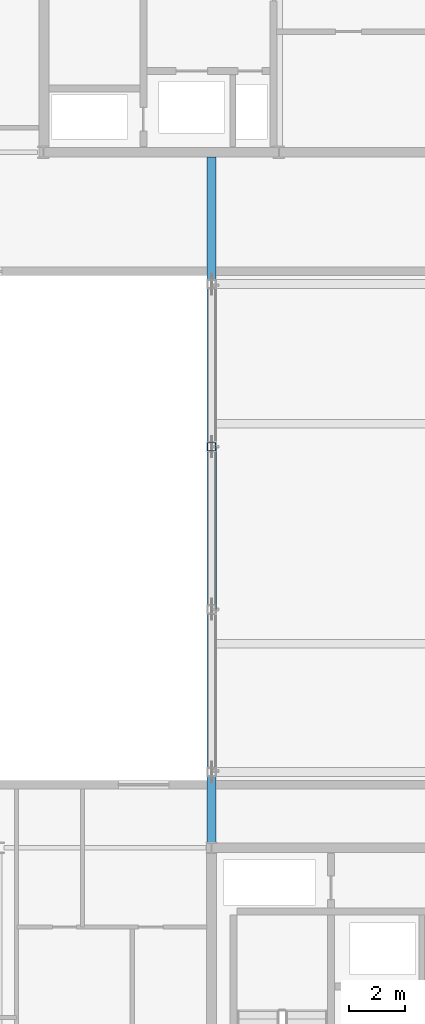
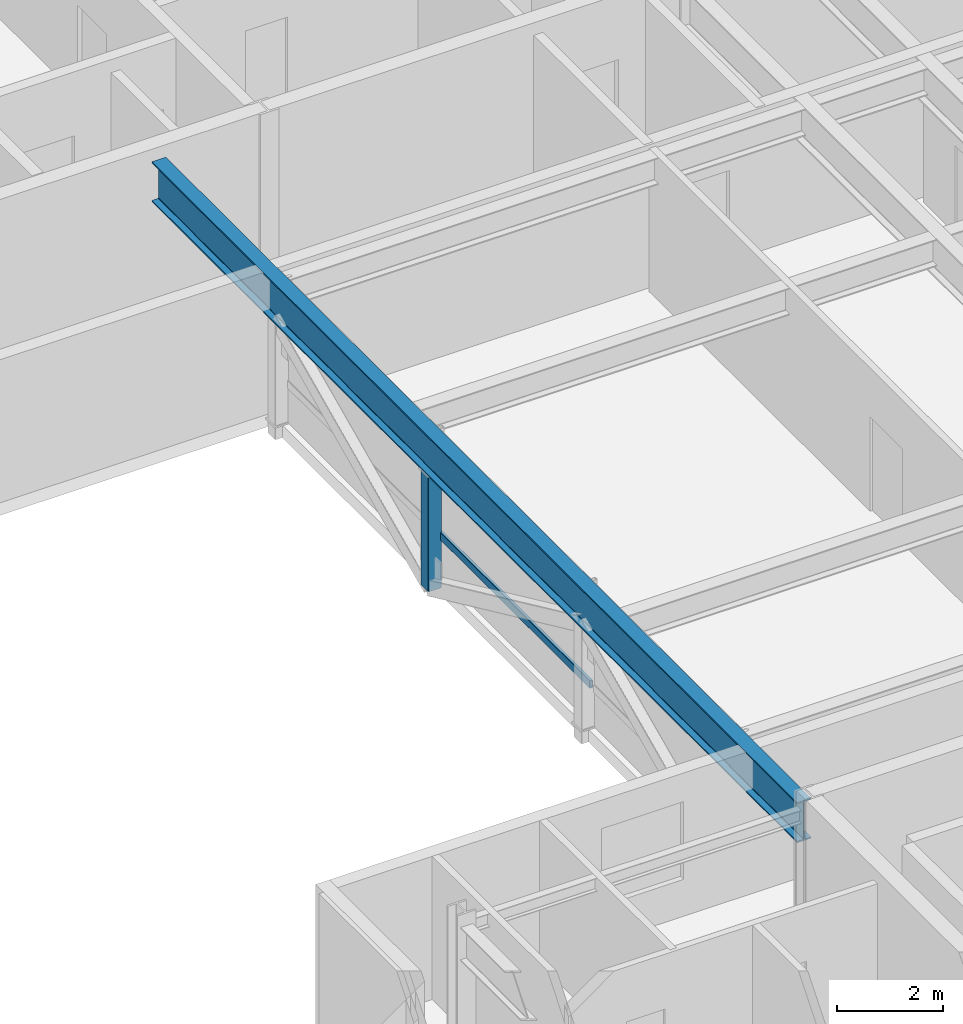
# One storey, part 5 of 36: 2 members, 1 beam, 1 element without a shape of its own.
"""IFC4 building model written with IfcOpenShell, lengths in metres."""

from ifc_helpers import new_model, si_unit, direction, frame, origin, origin_2d, place, context, subcontext, project, spatial, hollow_rectangle, i_section, extrude, material, layer, layer_set, material_profile, profile_set, type_object, element, aggregate, save


model = new_model("IFC4")

# Units and contexts
model_context = context("Model", 3, precision=1e-05, world=origin(), true_north=direction((0.0, 1.0)))
body_context = subcontext(model_context, "Body", "Model", "MODEL_VIEW")
ifc_project = project(units=[si_unit("LENGTHUNIT", "METRE"), si_unit("AREAUNIT", "SQUARE_METRE"), si_unit("VOLUMEUNIT", "CUBIC_METRE"), si_unit("PLANEANGLEUNIT", "RADIAN"), si_unit("MASSUNIT", "GRAM", prefix="KILO")], contexts=[model_context])

# Site, building, storey
site_placement = place(None, origin())
site = spatial("IfcSite", under=ifc_project, at=site_placement, CompositionType="ELEMENT")
building_placement = place(site_placement, origin())
building = spatial("IfcBuilding", under=site, at=building_placement, Name="Korimba Cascade Residences", CompositionType="ELEMENT")
storey_placement = place(building_placement, frame((0.0, 0.0, 139.300048828125)))
storey = spatial("IfcBuildingStorey", under=building, at=storey_placement, Name="L40", CompositionType="ELEMENT", Elevation=139.300048828125)

# Beam
ifc_material_1 = material(Name="Steel S460", Category="steel")
ifc_material_profile_1 = material_profile(ifc_material_1, i_section(OverallWidth=0.3076171875, OverallDepth=0.926513671875, WebThickness=0.01953125, FlangeThickness=0.031982421875, FilletRadius=0.01904296875, at=origin_2d()), Name="Steel S460")
ifc_profile_set_1 = profile_set([ifc_material_profile_1], Name="Steel S460")
beam_type = type_object("IfcBeamType", Name="BM-STL-UB914B", PredefinedType="BEAM", material=ifc_profile_set_1)
beam_placement = place(storey_placement, frame((82.10009765625, 30.574951171875, 2.8466796875), z_axis=(0.0, 1.0, 0.0), x_axis=(-1.0, 0.0, 0.0)))
element("IfcBeam", 1, at=beam_placement, inside=storey, type_object=beam_type, Name="L40 Rigid Mid-Bridge Truss Chord 1", PredefinedType="BEAM", context=body_context, shape_type="SweptSolid", body=[
    extrude(i_section(OverallWidth=0.3076171875, OverallDepth=0.926513671875, WebThickness=0.01953125, FlangeThickness=0.031982421875, FilletRadius=0.01904296875, at=origin_2d()), origin(), (0.0, 0.0, 1.0), 24.449951171875),
])

# Curtain wall, member
ifc_material_2 = material(Name="Anodised Aluminium Curtain Wall Framing", Category="aluminium")
ifc_layer = layer(ifc_material_2, 0.179931640625)
ifc_layer_set = layer_set([ifc_layer], Name="Anodised Aluminium Curtain Wall Framing")
curtain_wall_type = type_object("IfcCurtainWallType", Name="CW-BRG-SYS3", PredefinedType="NOTDEFINED", material=ifc_layer_set)
curtain_wall_placement = place(storey_placement, origin())
curtain_wall = element("IfcCurtainWall", 2, at=curtain_wall_placement, inside=storey, type_object=curtain_wall_type, Name="L40 Curtain Wall CW-L40-BRG-W", PredefinedType="NOTDEFINED")
ifc_material_3 = material(Name="Anodised Aluminium Transom", Category="aluminium")
ifc_material_profile_2 = material_profile(ifc_material_3, hollow_rectangle(XDim=0.070068359375, YDim=0.179931640625, WallThickness=0.0048828125, InnerFilletRadius=0.0048828125, OuterFilletRadius=0.010009765625, at=origin_2d()), Name="Anodised Aluminium Transom")
ifc_profile_set_2 = profile_set([ifc_material_profile_2], Name="Anodised Aluminium Transom")
member_type_1 = type_object("IfcMemberType", Name="CWM-TRN-150", PredefinedType="USERDEFINED", material=ifc_profile_set_2)
member_1_placement = place(storey_placement, frame((82.25, 38.89990234375, 0.89990234375), z_axis=(0.0, 1.0, 0.0), x_axis=(-1.0, 0.0, 0.0)))
member_1 = element("IfcMember", 3, at=member_1_placement, type_object=member_type_1, Name="CW-L40-BRG-W Transom 2", ObjectType="TRANSOM", PredefinedType="USERDEFINED", context=body_context, shape_type="SweptSolid", body=[
    extrude(hollow_rectangle(XDim=0.070068359375, YDim=0.179931640625, WallThickness=0.0048828125, InnerFilletRadius=0.0048828125, OuterFilletRadius=0.010009765625, at=origin_2d()), origin(), (0.0, 0.0, 1.0), 5.800048828125),
])
aggregate(curtain_wall, [member_1])

# Member
ifc_material_profile_3 = material_profile(ifc_material_1, hollow_rectangle(XDim=0.300048828125, YDim=0.300048828125, WallThickness=0.012451171875, InnerFilletRadius=0.012451171875, OuterFilletRadius=0.02490234375, at=origin_2d()), Name="Steel S460")
ifc_profile_set_3 = profile_set([ifc_material_profile_3], Name="Steel S460")
member_type_2 = type_object("IfcMemberType", Name="MEM-BRG-STR300", PredefinedType="STRUT", material=ifc_profile_set_3)
member_2_placement = place(storey_placement, frame((82.10009765625, 44.699951171875, -0.2900390625), z_axis=(0.0, 0.0, 1.0), x_axis=(1.0, 0.0, 0.0)))
element("IfcMember", 4, at=member_2_placement, inside=storey, type_object=member_type_2, Name="L40 Mid-Bridge Warren Web Post W3", PredefinedType="STRUT", context=body_context, shape_type="SweptSolid", body=[
    extrude(hollow_rectangle(XDim=0.300048828125, YDim=0.300048828125, WallThickness=0.012451171875, InnerFilletRadius=0.012451171875, OuterFilletRadius=0.02490234375, at=origin_2d()), origin(), (0.0, 0.0, 1.0), 2.67333984375),
])

save(model, "model.ifc")
